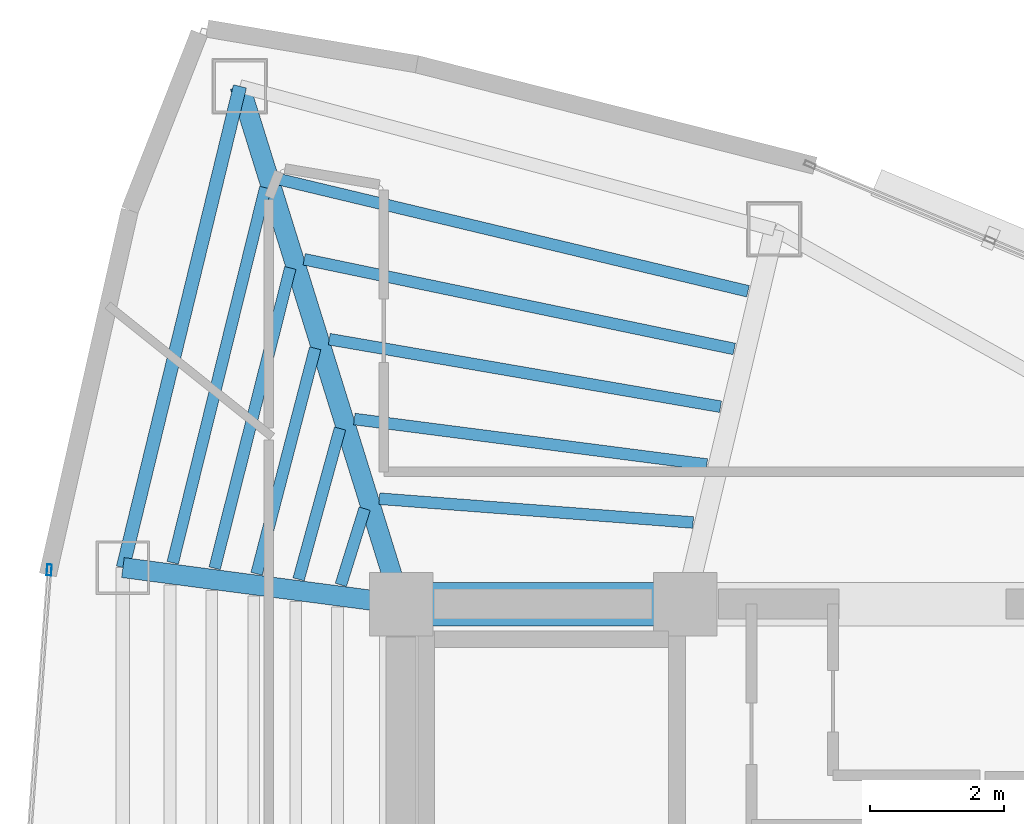
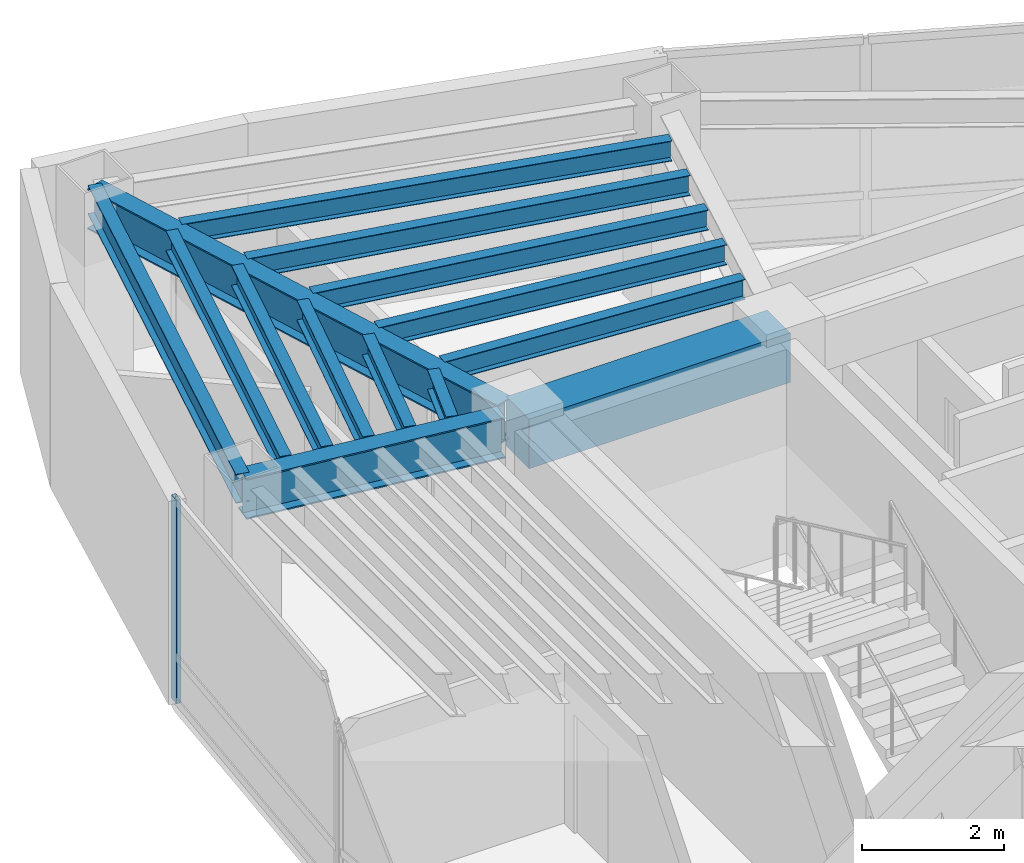
# One storey, part 7 of 15: 14 beams, 1 member, 1 element without a shape of its own.
"""IFC4 building model written with IfcOpenShell, lengths in metres."""

from ifc_helpers import new_model, si_unit, direction, frame, origin, origin_2d, place, context, subcontext, project, spatial, rectangle, hollow_rectangle, i_section, extrude, material, layer, layer_set, material_profile, profile_set, type_object, element, aggregate, save


model = new_model("IFC4")

# Units and contexts
model_context = context("Model", 3, precision=1e-05, world=origin(), true_north=direction((0.0, 1.0)))
body_context = subcontext(model_context, "Body", "Model", "MODEL_VIEW")
ifc_project = project(units=[si_unit("LENGTHUNIT", "METRE"), si_unit("AREAUNIT", "SQUARE_METRE"), si_unit("VOLUMEUNIT", "CUBIC_METRE"), si_unit("PLANEANGLEUNIT", "RADIAN"), si_unit("MASSUNIT", "GRAM", prefix="KILO")], contexts=[model_context])

# Site, building, storey
site_placement = place(None, origin())
site = spatial("IfcSite", under=ifc_project, at=site_placement, CompositionType="ELEMENT")
building_placement = place(site_placement, origin())
building = spatial("IfcBuilding", under=site, at=building_placement, Name="Menara Vayukalpa", CompositionType="ELEMENT")
storey_placement = place(building_placement, frame((0.0, 0.0, 262.02001953125)))
storey = spatial("IfcBuildingStorey", under=building, at=storey_placement, Name="L66", CompositionType="ELEMENT", Elevation=262.02001953125)

# Beams
ifc_material_1 = material(Name="Concrete C60/75", Category="concrete")
ifc_material_profile_1 = material_profile(ifc_material_1, rectangle(XDim=0.64990234375, YDim=0.85009765625, at=origin_2d()), Name="RC 650x850")
ifc_profile_set_1 = profile_set([ifc_material_profile_1], Name="Concrete C60/75")
beam_type_1 = type_object("IfcBeamType", Name="BM-CB1", PredefinedType="BEAM", material=ifc_profile_set_1)
beam_1_placement = place(storey_placement, frame((17.800048828125, 26.800048828125, 3.074951171875), z_axis=(1.0, 0.0, 0.0), x_axis=(0.0, 1.0, 0.0)))
element("IfcBeam", 1, at=beam_1_placement, inside=storey, type_object=beam_type_1, Name="L66 Core Tie Beam CBR4", PredefinedType="BEAM", context=body_context, shape_type="SweptSolid", body=[
    extrude(rectangle(XDim=0.64990234375, YDim=0.85009765625, at=origin_2d()), origin(), (0.0, 0.0, 1.0), 4.25),
])
ifc_material_2 = material(Name="Steel S355", Category="steel")
ifc_material_profile_2 = material_profile(ifc_material_2, i_section(OverallWidth=0.300048828125, OverallDepth=0.699951171875, WebThickness=0.012939453125, FlangeThickness=0.02392578125, at=origin_2d()), Name="WF 700x300x13x24")
ifc_profile_set_2 = profile_set([ifc_material_profile_2], Name="Steel S355")
beam_type_2 = type_object("IfcBeamType", Name="BM-PG5", PredefinedType="BEAM", material=ifc_profile_set_2)
beam_2_placement = place(storey_placement, frame((17.7255859375, 27.038818359375, 3.14990234375), z_axis=(-0.297213792842, 0.954810955815, 0.0), x_axis=(-0.954810955815, -0.297213792842, 0.0)))
element("IfcBeam", 2, at=beam_2_placement, inside=storey, type_object=beam_type_2, Name="L66 Primary Radial Girder RG04", PredefinedType="BEAM", context=body_context, shape_type="SweptSolid", body=[
    extrude(i_section(OverallWidth=0.300048828125, OverallDepth=0.699951171875, WebThickness=0.012939453125, FlangeThickness=0.02392578125, at=origin_2d()), origin(), (0.0, 0.0, 1.0), 7.861083984375),
])
beam_3_placement = place(storey_placement, frame((17.552001953125, 26.83251953125, 3.14990234375), z_axis=(-0.991477860763, 0.130275291662, 0.0), x_axis=(-0.130275291662, -0.991477860763, 0.0)))
element("IfcBeam", 3, at=beam_3_placement, inside=storey, type_object=beam_type_2, Name="L66 Primary Radial Girder RG05", PredefinedType="BEAM", context=body_context, shape_type="SweptSolid", body=[
    extrude(i_section(OverallWidth=0.300048828125, OverallDepth=0.699951171875, WebThickness=0.012939453125, FlangeThickness=0.02392578125, at=origin_2d()), origin(), (0.0, 0.0, 1.0), 3.94677734375),
])
ifc_material_3 = material(Name="Steel S355", Category="steel")
ifc_material_profile_3 = material_profile(ifc_material_3, i_section(OverallWidth=0.175048828125, OverallDepth=0.35009765625, WebThickness=0.007080078125, FlangeThickness=0.010986328125, at=origin_2d()), Name="WF 350x175x7x11")
ifc_profile_set_3 = profile_set([ifc_material_profile_3], Name="Steel S355")
beam_type_3 = type_object("IfcBeamType", Name="BM-SJ3", PredefinedType="JOIST", material=ifc_profile_set_3)
beam_4_placement = place(storey_placement, frame((22.16748046875, 28.02099609375, 3.324951171875), z_axis=(-0.997135697669, 0.075633328852, 0.0), x_axis=(-0.075633328852, -0.997135697669, 0.0)))
element("IfcBeam", 4, at=beam_4_placement, inside=storey, type_object=beam_type_3, Name="L66 Secondary Floor Joist SJ03-1", PredefinedType="JOIST", context=body_context, shape_type="SweptSolid", body=[
    extrude(i_section(OverallWidth=0.175048828125, OverallDepth=0.35009765625, WebThickness=0.007080078125, FlangeThickness=0.010986328125, at=origin_2d()), origin(), (0.0, 0.0, 1.0), 4.706298828125),
])
beam_5_placement = place(storey_placement, frame((22.372314453125, 28.887939453125, 3.324951171875), z_axis=(-0.991763759233, 0.128080622546, 0.0), x_axis=(-0.128080622546, -0.991763759233, 0.0)))
element("IfcBeam", 5, at=beam_5_placement, inside=storey, type_object=beam_type_3, Name="L66 Secondary Floor Joist SJ03-2", PredefinedType="JOIST", context=body_context, shape_type="SweptSolid", body=[
    extrude(i_section(OverallWidth=0.175048828125, OverallDepth=0.35009765625, WebThickness=0.007080078125, FlangeThickness=0.010986328125, at=origin_2d()), origin(), (0.0, 0.0, 1.0), 5.316162109375),
])
beam_6_placement = place(storey_placement, frame((22.577392578125, 29.7529296875, 3.324951171875), z_axis=(-0.985440172071, 0.170022549294, 0.0), x_axis=(-0.170022549294, -0.985440172071, 0.0)))
element("IfcBeam", 6, at=beam_6_placement, inside=storey, type_object=beam_type_3, Name="L66 Secondary Floor Joist SJ03-3", PredefinedType="JOIST", context=body_context, shape_type="SweptSolid", body=[
    extrude(i_section(OverallWidth=0.175048828125, OverallDepth=0.35009765625, WebThickness=0.007080078125, FlangeThickness=0.010986328125, at=origin_2d()), origin(), (0.0, 0.0, 1.0), 5.93896484375),
])
beam_7_placement = place(storey_placement, frame((22.7822265625, 30.61669921875, 3.324951171875), z_axis=(-0.978941451827, 0.204141210671, 0.0), x_axis=(-0.204141210671, -0.978941451827, 0.0)))
element("IfcBeam", 7, at=beam_7_placement, inside=storey, type_object=beam_type_3, Name="L66 Secondary Floor Joist SJ03-4", PredefinedType="JOIST", context=body_context, shape_type="SweptSolid", body=[
    extrude(i_section(OverallWidth=0.175048828125, OverallDepth=0.35009765625, WebThickness=0.007080078125, FlangeThickness=0.010986328125, at=origin_2d()), origin(), (0.0, 0.0, 1.0), 6.570556640625),
])
beam_8_placement = place(storey_placement, frame((22.9873046875, 31.479248046875, 3.324951171875), z_axis=(-0.972642465748, 0.232307197097, 0.0), x_axis=(-0.232307197097, -0.972642465748, 0.0)))
element("IfcBeam", 8, at=beam_8_placement, inside=storey, type_object=beam_type_3, Name="L66 Secondary Floor Joist SJ03-5", PredefinedType="JOIST", context=body_context, shape_type="SweptSolid", body=[
    extrude(i_section(OverallWidth=0.175048828125, OverallDepth=0.35009765625, WebThickness=0.007080078125, FlangeThickness=0.010986328125, at=origin_2d()), origin(), (0.0, 0.0, 1.0), 7.20947265625),
])
beam_9_placement = place(storey_placement, frame((17.25439453125, 28.2275390625, 3.324951171875), z_axis=(-0.298018933644, -0.954559958929, 0.0), x_axis=(0.954559958929, -0.298018933644, 0.0)))
element("IfcBeam", 9, at=beam_9_placement, inside=storey, type_object=beam_type_3, Name="L66 Secondary Floor Joist SJ04-1", PredefinedType="JOIST", context=body_context, shape_type="SweptSolid", body=[
    extrude(i_section(OverallWidth=0.175048828125, OverallDepth=0.35009765625, WebThickness=0.007080078125, FlangeThickness=0.010986328125, at=origin_2d()), origin(), (0.0, 0.0, 1.0), 1.1943359375),
])
beam_10_placement = place(storey_placement, frame((16.88623046875, 29.4267578125, 3.324951171875), z_axis=(-0.264918721837, -0.9642707456, 0.0), x_axis=(0.9642707456, -0.264918721837, 0.0)))
element("IfcBeam", 10, at=beam_10_placement, inside=storey, type_object=beam_type_3, Name="L66 Secondary Floor Joist SJ04-2", PredefinedType="JOIST", context=body_context, shape_type="SweptSolid", body=[
    extrude(i_section(OverallWidth=0.175048828125, OverallDepth=0.35009765625, WebThickness=0.007080078125, FlangeThickness=0.010986328125, at=origin_2d()), origin(), (0.0, 0.0, 1.0), 2.3388671875),
])
beam_11_placement = place(storey_placement, frame((16.5146484375, 30.627197265625, 3.324951171875), z_axis=(-0.251492114719, -0.96785934734, 0.0), x_axis=(0.96785934734, -0.251492114719, 0.0)))
element("IfcBeam", 11, at=beam_11_placement, inside=storey, type_object=beam_type_3, Name="L66 Secondary Floor Joist SJ04-3", PredefinedType="JOIST", context=body_context, shape_type="SweptSolid", body=[
    extrude(i_section(OverallWidth=0.175048828125, OverallDepth=0.35009765625, WebThickness=0.007080078125, FlangeThickness=0.010986328125, at=origin_2d()), origin(), (0.0, 0.0, 1.0), 3.485107421875),
])
beam_12_placement = place(storey_placement, frame((16.14208984375, 31.82763671875, 3.324951171875), z_axis=(-0.244247063973, -0.969713035769, 0.0), x_axis=(0.969713035769, -0.244247063973, 0.0)))
element("IfcBeam", 12, at=beam_12_placement, inside=storey, type_object=beam_type_3, Name="L66 Secondary Floor Joist SJ04-4", PredefinedType="JOIST", context=body_context, shape_type="SweptSolid", body=[
    extrude(i_section(OverallWidth=0.175048828125, OverallDepth=0.35009765625, WebThickness=0.007080078125, FlangeThickness=0.010986328125, at=origin_2d()), origin(), (0.0, 0.0, 1.0), 4.630859375),
])
beam_13_placement = place(storey_placement, frame((15.768798828125, 33.028564453125, 3.324951171875), z_axis=(-0.239671161383, -0.970854126222, 0.0), x_axis=(0.970854126222, -0.239671161383, 0.0)))
element("IfcBeam", 13, at=beam_13_placement, inside=storey, type_object=beam_type_3, Name="L66 Secondary Floor Joist SJ04-5", PredefinedType="JOIST", context=body_context, shape_type="SweptSolid", body=[
    extrude(i_section(OverallWidth=0.175048828125, OverallDepth=0.35009765625, WebThickness=0.007080078125, FlangeThickness=0.010986328125, at=origin_2d()), origin(), (0.0, 0.0, 1.0), 5.77783203125),
])
ifc_material_4 = material(Name="Steel S355", Category="steel")
ifc_material_profile_4 = material_profile(ifc_material_4, i_section(OverallWidth=0.199951171875, OverallDepth=0.5, WebThickness=0.010009765625, FlangeThickness=0.01611328125, at=origin_2d()), Name="WF 500x200x10x16")
ifc_profile_set_4 = profile_set([ifc_material_profile_4], Name="Steel S355")
beam_type_4 = type_object("IfcBeamType", Name="BM-SP3", PredefinedType="SPANDREL", material=ifc_profile_set_4)
beam_14_placement = place(storey_placement, frame((15.38916015625, 34.544677734375, 3.25), z_axis=(-0.236272525754, -0.97168682896, 0.0), x_axis=(0.97168682896, -0.236272525754, 0.0)))
element("IfcBeam", 14, at=beam_14_placement, inside=storey, type_object=beam_type_4, Name="L66 Perimeter Spandrel Beam SP04", PredefinedType="SPANDREL", context=body_context, shape_type="SweptSolid", body=[
    extrude(i_section(OverallWidth=0.199951171875, OverallDepth=0.5, WebThickness=0.010009765625, FlangeThickness=0.01611328125, at=origin_2d()), origin(), (0.0, 0.0, 1.0), 7.40771484375),
])

# Curtain wall, member
ifc_material_5 = material(Name="Anodised Terracotta Aluminium Alloy 6063-T6", Category="masonry")
ifc_layer = layer(ifc_material_5, 0.1650390625)
ifc_layer_set = layer_set([ifc_layer], Name="Anodised Terracotta Aluminium Alloy 6063-T6")
curtain_wall_type = type_object("IfcCurtainWallType", Name="CW-CW6", PredefinedType="USERDEFINED", material=ifc_layer_set)
curtain_wall_placement = place(storey_placement, origin())
curtain_wall = element("IfcCurtainWall", 15, at=curtain_wall_placement, inside=storey, type_object=curtain_wall_type, Name="L66 Observation and Executive Curtain Wall CW6 10", ObjectType="UNITISED", PredefinedType="USERDEFINED")
ifc_material_6 = material(Name="Anodised Terracotta Aluminium Alloy 6063-T6", Category="masonry")
ifc_material_profile_5 = material_profile(ifc_material_6, hollow_rectangle(XDim=0.070068359375, YDim=0.1650390625, WallThickness=0.00390625, at=origin_2d()), Name="ALU 70x165x4")
ifc_profile_set_5 = profile_set([ifc_material_profile_5], Name="Anodised Terracotta Aluminium Alloy 6063-T6")
member_type = type_object("IfcMemberType", Name="CWM-CW6", PredefinedType="MULLION", material=ifc_profile_set_5)
member_placement = place(storey_placement, frame((12.536376953125, 27.311767578125, 0.0), z_axis=(0.0, 0.0, 1.0), x_axis=(0.997199344663, -0.074789484574, 0.0)))
member = element("IfcMember", 16, at=member_placement, type_object=member_type, Name="CW6 mullion 1", PredefinedType="MULLION", context=body_context, shape_type="SweptSolid", body=[
    extrude(hollow_rectangle(XDim=0.070068359375, YDim=0.1650390625, WallThickness=0.00390625, at=origin_2d()), origin(), (0.0, 0.0, 1.0), 3.5),
])
aggregate(curtain_wall, [member])

save(model, "model.ifc")
